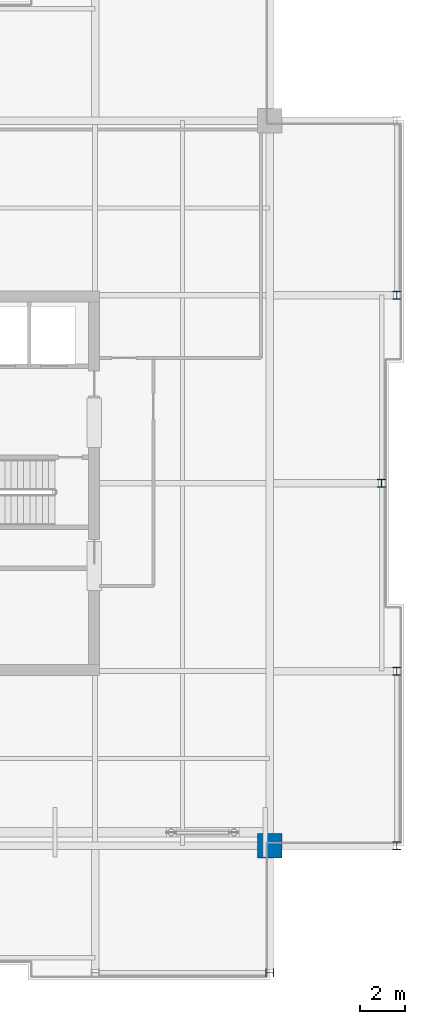
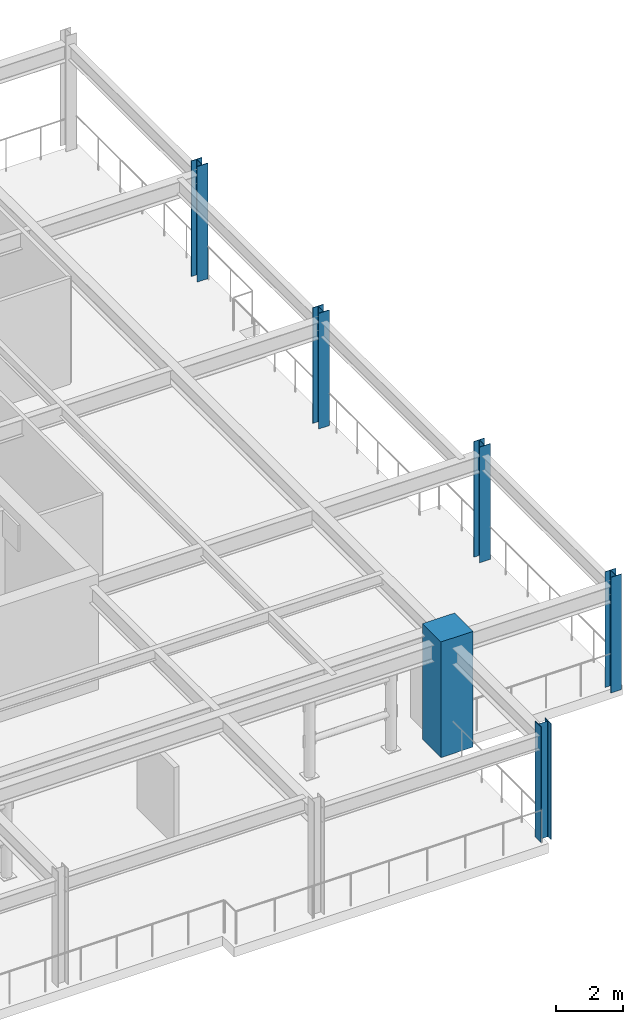
# One storey, part 2 of 13: 6 columns.
"""IFC4 building model written with IfcOpenShell, lengths in metres."""

from ifc_helpers import new_model, si_unit, direction, frame, origin, origin_2d, place, context, subcontext, project, spatial, rectangle, i_section, extrude, material, material_profile, profile_set, type_object, element, save


model = new_model("IFC4")

# Units and contexts
model_context = context("Model", 3, precision=1e-05, world=origin(), true_north=direction((0.0, 1.0)))
body_context = subcontext(model_context, "Body", "Model", "MODEL_VIEW")
ifc_project = project(units=[si_unit("LENGTHUNIT", "METRE"), si_unit("AREAUNIT", "SQUARE_METRE"), si_unit("VOLUMEUNIT", "CUBIC_METRE"), si_unit("PLANEANGLEUNIT", "RADIAN"), si_unit("MASSUNIT", "GRAM", prefix="KILO")], contexts=[model_context])

# Site, building, storey
site_placement = place(None, origin())
site = spatial("IfcSite", under=ifc_project, at=site_placement, CompositionType="ELEMENT")
building_placement = place(site_placement, origin())
building = spatial("IfcBuilding", under=site, at=building_placement, Name="Drelvath Grand Hotel", CompositionType="ELEMENT")
storey_placement = place(building_placement, frame((0.0, 0.0, 303.0)))
storey = spatial("IfcBuildingStorey", under=building, at=storey_placement, Name="L79", CompositionType="ELEMENT", Elevation=303.0)

# Columns
ifc_material_1 = material(Name="Concrete f'c 55 MPa", Category="concrete")
ifc_material_profile_1 = material_profile(ifc_material_1, rectangle(XDim=1.10009765625, YDim=1.10009765625, at=origin_2d()), Name="MC1100X1100")
ifc_profile_set_1 = profile_set([ifc_material_profile_1], Name="Concrete f'c 55 MPa")
column_type_1 = type_object("IfcColumnType", Name="Composite Mega Column MC1100X1100", PredefinedType="COLUMN", material=ifc_profile_set_1)
column_placement = place(storey_placement, frame((16.199951171875, 10.800048828125, 0.0), z_axis=(0.0, 0.0, 1.0), x_axis=(1.0, 0.0, 0.0)))
element("IfcColumn", 1, at=column_placement, inside=storey, type_object=column_type_1, Name="L79 Composite Mega Column MC-SE", PredefinedType="COLUMN", context=body_context, shape_type="SweptSolid", body=[
    extrude(rectangle(XDim=1.10009765625, YDim=1.10009765625, at=origin_2d()), origin(), (0.0, 0.0, 1.0), 4.199951171875),
])
ifc_material_2 = material(Name="Steel ASTM A913 Gr 65", Category="steel")
ifc_material_profile_2 = material_profile(ifc_material_2, i_section(OverallWidth=0.368896484375, OverallDepth=0.356201171875, WebThickness=0.01123046875, FlangeThickness=0.01806640625, FilletRadius=0.02490234375, at=origin_2d()), Name="W14X90")
ifc_profile_set_2 = profile_set([ifc_material_profile_2], Name="Steel ASTM A913 Gr 65")
column_type_2 = type_object("IfcColumnType", Name="Perimeter Steel Column W14X90", PredefinedType="COLUMN", material=ifc_profile_set_2)
for number, where, z_axis, x_axis, name in (
    (2, (21.8798828125, 10.800048828125, 0.0), (0.0, 0.0, 1.0), (1.0, 0.0, 0.0), "L79 Structural Column TCE-C"),
    (3, (21.8798828125, 18.60009765625, 0.0), (0.0, 0.0, 1.0), (1.0, 0.0, 0.0), "L79 Structural Column TCE-D"),
    (4, (21.199951171875, 27.0, 0.0), (0.0, 0.0, 1.0), (1.0, 0.0, 0.0), "L79 Structural Column TCE-E"),
    (5, (21.8798828125, 35.39990234375, 0.0), (0.0, 0.0, 1.0), (1.0, 0.0, 0.0), "L79 Structural Column TCE-F"),
    (6, (16.199951171875, 5.1201171875, 0.0), (0.0, 0.0, 1.0), (0.0, 1.0, 0.0), "L79 Structural Column TCS-7"),
):
    element("IfcColumn", number, at=place(storey_placement, frame(where, z_axis=z_axis, x_axis=x_axis)), inside=storey, type_object=column_type_2, Name=name, PredefinedType="COLUMN", context=body_context, shape_type="SweptSolid", body=[
        extrude(i_section(OverallWidth=0.368896484375, OverallDepth=0.356201171875, WebThickness=0.01123046875, FlangeThickness=0.01806640625, FilletRadius=0.02490234375, at=origin_2d()), origin(), (0.0, 0.0, 1.0), 4.197021484375),
    ])

save(model, "model.ifc")
